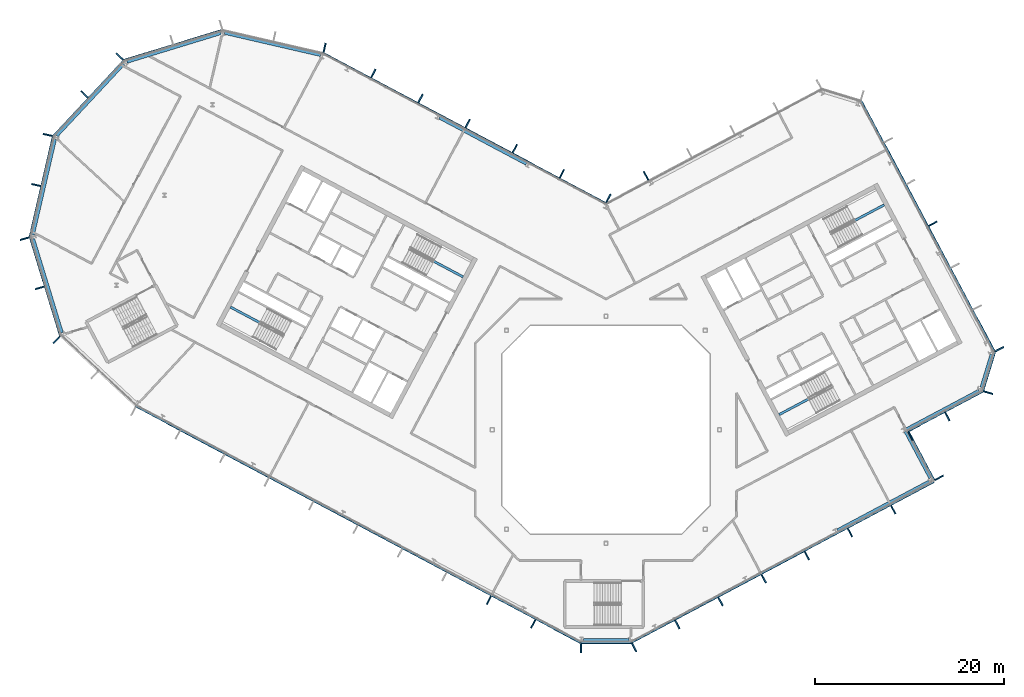
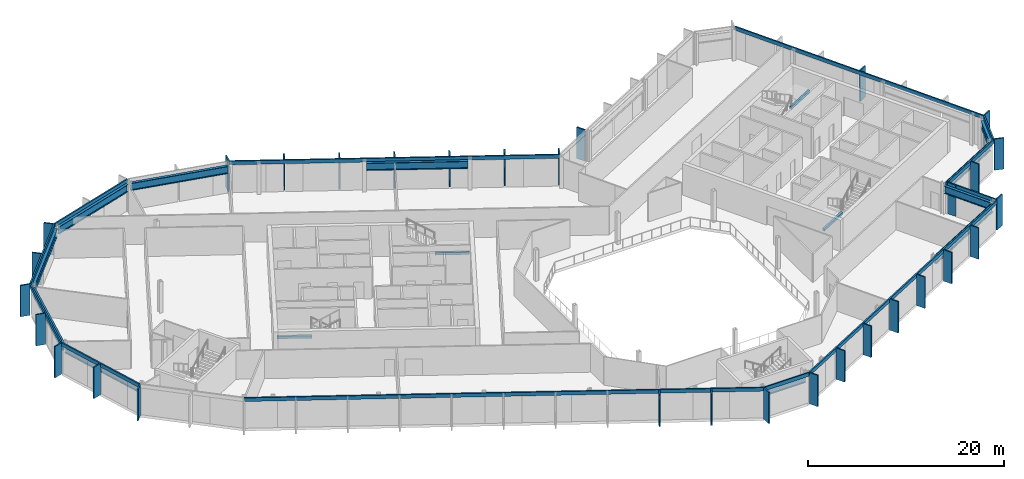
# One storey, part 9 of 25: 43 members, 15 beams, 15 elements without a shape of their own.
"""IFC4 building model written with IfcOpenShell, lengths in metres."""

from ifc_helpers import new_model, si_unit, direction, frame, origin, origin_2d, place, context, subcontext, project, spatial, rectangle, i_section, extrude, material, layer, layer_set, material_profile, profile_set, type_object, element, aggregate, save


model = new_model("IFC4")

# Units and contexts
model_context = context("Model", 3, precision=1e-05, world=origin(), true_north=direction((0.0, 1.0)))
body_context = subcontext(model_context, "Body", "Model", "MODEL_VIEW")
ifc_project = project(units=[si_unit("LENGTHUNIT", "METRE"), si_unit("AREAUNIT", "SQUARE_METRE"), si_unit("VOLUMEUNIT", "CUBIC_METRE"), si_unit("PLANEANGLEUNIT", "RADIAN"), si_unit("MASSUNIT", "GRAM", prefix="KILO")], contexts=[model_context])

# Site, building, storey
site_placement = place(None, origin())
site = spatial("IfcSite", under=ifc_project, at=site_placement, CompositionType="ELEMENT")
building_placement = place(site_placement, origin())
building = spatial("IfcBuilding", under=site, at=building_placement, Name="Cormorant Relay Tower", CompositionType="ELEMENT")
storey_placement = place(building_placement, frame((0.0, 0.0, 273.60009765625)))
storey = spatial("IfcBuildingStorey", under=building, at=storey_placement, Name="L61", CompositionType="ELEMENT", Elevation=273.60009765625)

# Curtain wall, member
ifc_material_1 = material(Name="Aluminium 6063-T6 anodised bronze", Category="aluminium")
ifc_layer = layer(ifc_material_1, 0.199951171875)
ifc_layer_set = layer_set([ifc_layer], Name="CW1 unitised bronze curtain wall with vertical fins")
curtain_wall_type = type_object("IfcCurtainWallType", Name="CW1 unitised bronze curtain wall with vertical fins", PredefinedType="NOTDEFINED", material=ifc_layer_set)
curtain_wall_1_placement = place(storey_placement, origin())
curtain_wall_1 = element("IfcCurtainWall", 1, at=curtain_wall_1_placement, inside=storey, type_object=curtain_wall_type, Name="CW1 curtain wall 1", PredefinedType="NOTDEFINED")
ifc_material_2 = material(Name="Aluminium 6063-T6 anodised bronze", Category="aluminium")
ifc_material_profile_1 = material_profile(ifc_material_2, rectangle(XDim=0.14990234375, YDim=1.0, at=origin_2d()), Name="AL 150x1000")
ifc_profile_set_1 = profile_set([ifc_material_profile_1], Name="Aluminium 6063-T6 anodised bronze")
member_type_1 = type_object("IfcMemberType", Name="CW1 bronze fin mullion 150 x 1000", PredefinedType="MULLION", material=ifc_profile_set_1)
member_1_placement = place(storey_placement, frame((-2.648681640625, -23.07568359375, 0.0), z_axis=(0.0, 0.0, 1.0), x_axis=(1.0, 0.0, 0.0)))
member_1 = element("IfcMember", 2, at=member_1_placement, type_object=member_type_1, Name="CW1 fin 1.1", PredefinedType="MULLION", context=body_context, shape_type="SweptSolid", body=[
    extrude(rectangle(XDim=0.14990234375, YDim=1.0, at=origin_2d()), origin(), (0.0, 0.0, 1.0), 3.89990234375),
])

# Curtain wall, members
curtain_wall_2_placement = place(storey_placement, origin())
curtain_wall_2 = element("IfcCurtainWall", 3, at=curtain_wall_2_placement, inside=storey, type_object=curtain_wall_type, Name="CW1 curtain wall 2", PredefinedType="NOTDEFINED")
member_2_placement = place(storey_placement, frame((2.9775390625, -22.99365234375, 0.0), z_axis=(0.0, 0.0, 1.0), x_axis=(0.882947592859, 0.469471562786, 0.0)))
member_2 = element("IfcMember", 4, at=member_2_placement, type_object=member_type_1, Name="CW1 fin 2.1", PredefinedType="MULLION", context=body_context, shape_type="SweptSolid", body=[
    extrude(rectangle(XDim=0.14990234375, YDim=1.0, at=origin_2d()), origin(), (0.0, 0.0, 1.0), 3.89990234375),
])
member_3_placement = place(storey_placement, frame((7.539306640625, -20.568115234375, 0.0), z_axis=(0.0, 0.0, 1.0), x_axis=(0.882947592859, 0.469471562786, 0.0)))
member_3 = element("IfcMember", 5, at=member_3_placement, type_object=member_type_1, Name="CW1 fin 2.2", PredefinedType="MULLION", context=body_context, shape_type="SweptSolid", body=[
    extrude(rectangle(XDim=0.14990234375, YDim=1.0, at=origin_2d()), origin(), (0.0, 0.0, 1.0), 3.89990234375),
])
member_4_placement = place(storey_placement, frame((12.10107421875, -18.142578125, 0.0), z_axis=(0.0, 0.0, 1.0), x_axis=(0.882947592859, 0.469471562786, 0.0)))
member_4 = element("IfcMember", 6, at=member_4_placement, type_object=member_type_1, Name="CW1 fin 2.3", PredefinedType="MULLION", context=body_context, shape_type="SweptSolid", body=[
    extrude(rectangle(XDim=0.14990234375, YDim=1.0, at=origin_2d()), origin(), (0.0, 0.0, 1.0), 3.89990234375),
])
member_5_placement = place(storey_placement, frame((16.662841796875, -15.717041015625, 0.0), z_axis=(0.0, 0.0, 1.0), x_axis=(0.882947592859, 0.469471562786, 0.0)))
member_5 = element("IfcMember", 7, at=member_5_placement, type_object=member_type_1, Name="CW1 fin 2.4", PredefinedType="MULLION", context=body_context, shape_type="SweptSolid", body=[
    extrude(rectangle(XDim=0.14990234375, YDim=1.0, at=origin_2d()), origin(), (0.0, 0.0, 1.0), 3.89990234375),
])
member_6_placement = place(storey_placement, frame((21.224609375, -13.29150390625, 0.0), z_axis=(0.0, 0.0, 1.0), x_axis=(0.882947592859, 0.469471562786, 0.0)))
member_6 = element("IfcMember", 8, at=member_6_placement, type_object=member_type_1, Name="CW1 fin 2.5", PredefinedType="MULLION", context=body_context, shape_type="SweptSolid", body=[
    extrude(rectangle(XDim=0.14990234375, YDim=1.0, at=origin_2d()), origin(), (0.0, 0.0, 1.0), 3.89990234375),
])
member_7_placement = place(storey_placement, frame((25.78662109375, -10.865966796875, 0.0), z_axis=(0.0, 0.0, 1.0), x_axis=(0.882947592859, 0.469471562786, 0.0)))
member_7 = element("IfcMember", 9, at=member_7_placement, type_object=member_type_1, Name="CW1 fin 2.6", PredefinedType="MULLION", context=body_context, shape_type="SweptSolid", body=[
    extrude(rectangle(XDim=0.14990234375, YDim=1.0, at=origin_2d()), origin(), (0.0, 0.0, 1.0), 3.89990234375),
])
member_8_placement = place(storey_placement, frame((30.348388671875, -8.440185546875, 0.0), z_axis=(0.0, 0.0, 1.0), x_axis=(0.882947592859, 0.469471562786, 0.0)))
member_8 = element("IfcMember", 10, at=member_8_placement, type_object=member_type_1, Name="CW1 fin 2.7", PredefinedType="MULLION", context=body_context, shape_type="SweptSolid", body=[
    extrude(rectangle(XDim=0.14990234375, YDim=1.0, at=origin_2d()), origin(), (0.0, 0.0, 1.0), 3.89990234375),
])

# Curtain wall, member
curtain_wall_3_placement = place(storey_placement, origin())
curtain_wall_3 = element("IfcCurtainWall", 11, at=curtain_wall_3_placement, inside=storey, type_object=curtain_wall_type, Name="CW1 curtain wall 3", PredefinedType="NOTDEFINED")
member_9_placement = place(storey_placement, frame((35.199462890625, -5.068115234375, 0.0), z_axis=(0.0, 0.0, 1.0), x_axis=(-0.469471562786, 0.882947592859, 0.0)))
member_9 = element("IfcMember", 12, at=member_9_placement, type_object=member_type_1, Name="CW1 fin 3.1", PredefinedType="MULLION", context=body_context, shape_type="SweptSolid", body=[
    extrude(rectangle(XDim=0.14990234375, YDim=1.0, at=origin_2d()), origin(), (0.0, 0.0, 1.0), 3.89990234375),
])

# Curtain wall, members
curtain_wall_4_placement = place(storey_placement, origin())
curtain_wall_4 = element("IfcCurtainWall", 13, at=curtain_wall_4_placement, inside=storey, type_object=curtain_wall_type, Name="CW1 curtain wall 4", PredefinedType="NOTDEFINED")
member_10_placement = place(storey_placement, frame((32.159423828125, -0.681884765625, 0.0), z_axis=(0.0, 0.0, 1.0), x_axis=(0.882947592859, 0.469471562786, 0.0)))
member_10 = element("IfcMember", 14, at=member_10_placement, type_object=member_type_1, Name="CW1 fin 4.1", PredefinedType="MULLION", context=body_context, shape_type="SweptSolid", body=[
    extrude(rectangle(XDim=0.14990234375, YDim=1.0, at=origin_2d()), origin(), (0.0, 0.0, 1.0), 3.89990234375),
])
member_11_placement = place(storey_placement, frame((36.06640625, 1.3955078125, 0.0), z_axis=(0.0, 0.0, 1.0), x_axis=(0.882947592859, 0.469471562786, 0.0)))
member_11 = element("IfcMember", 15, at=member_11_placement, type_object=member_type_1, Name="CW1 fin 4.2", PredefinedType="MULLION", context=body_context, shape_type="SweptSolid", body=[
    extrude(rectangle(XDim=0.14990234375, YDim=1.0, at=origin_2d()), origin(), (0.0, 0.0, 1.0), 3.89990234375),
])

# Curtain wall, member
curtain_wall_5_placement = place(storey_placement, origin())
curtain_wall_5 = element("IfcCurtainWall", 16, at=curtain_wall_5_placement, inside=storey, type_object=curtain_wall_type, Name="CW1 curtain wall 5", PredefinedType="NOTDEFINED")
member_12_placement = place(storey_placement, frame((40.380615234375, 3.921630859375, 0.0), z_axis=(0.0, 0.0, 1.0), x_axis=(0.292371704723, 0.956304755963, 0.0)))
member_12 = element("IfcMember", 17, at=member_12_placement, type_object=member_type_1, Name="CW1 fin 5.1", PredefinedType="MULLION", context=body_context, shape_type="SweptSolid", body=[
    extrude(rectangle(XDim=0.14990234375, YDim=1.0, at=origin_2d()), origin(), (0.0, 0.0, 1.0), 3.89990234375),
])

# Curtain wall, members
curtain_wall_6_placement = place(storey_placement, origin())
curtain_wall_6 = element("IfcCurtainWall", 18, at=curtain_wall_6_placement, inside=storey, type_object=curtain_wall_type, Name="CW1 curtain wall 6", PredefinedType="NOTDEFINED")
member_13_placement = place(storey_placement, frame((41.569580078125, 8.51220703125, 0.0), z_axis=(0.0, 0.0, 1.0), x_axis=(-0.469471562786, 0.882947592859, 0.0)))
member_13 = element("IfcMember", 19, at=member_13_placement, type_object=member_type_1, Name="CW1 fin 6.1", PredefinedType="MULLION", context=body_context, shape_type="SweptSolid", body=[
    extrude(rectangle(XDim=0.14990234375, YDim=1.0, at=origin_2d()), origin(), (0.0, 0.0, 1.0), 3.89990234375),
])
member_14_placement = place(storey_placement, frame((34.527587890625, 21.75634765625, 0.0), z_axis=(0.0, 0.0, 1.0), x_axis=(-0.469471562786, 0.882947592859, 0.0)))
member_14 = element("IfcMember", 20, at=member_14_placement, type_object=member_type_1, Name="CW1 fin 6.4", PredefinedType="MULLION", context=body_context, shape_type="SweptSolid", body=[
    extrude(rectangle(XDim=0.14990234375, YDim=1.0, at=origin_2d()), origin(), (0.0, 0.0, 1.0), 3.89990234375),
])

# Curtain wall, member
curtain_wall_7_placement = place(storey_placement, origin())
curtain_wall_7 = element("IfcCurtainWall", 21, at=curtain_wall_7_placement, inside=storey, type_object=curtain_wall_type, Name="CW1 curtain wall 8", PredefinedType="NOTDEFINED")
member_15_placement = place(storey_placement, frame((4.2333984375, 26.82763671875, 0.0), z_axis=(0.0, 0.0, 1.0), x_axis=(-0.882947592859, -0.469471562786, 0.0)))
member_15 = element("IfcMember", 22, at=member_15_placement, type_object=member_type_1, Name="CW1 fin 8.5", PredefinedType="MULLION", context=body_context, shape_type="SweptSolid", body=[
    extrude(rectangle(XDim=0.14990234375, YDim=1.0, at=origin_2d()), origin(), (0.0, 0.0, 1.0), 3.89990234375),
])
aggregate(curtain_wall_7, [member_15])

# Curtain wall, members
curtain_wall_8_placement = place(storey_placement, origin())
curtain_wall_8 = element("IfcCurtainWall", 23, at=curtain_wall_8_placement, inside=storey, type_object=curtain_wall_type, Name="CW1 curtain wall 9", PredefinedType="NOTDEFINED")
member_16_placement = place(storey_placement, frame((0.262451171875, 24.437255859375, 0.0), z_axis=(0.0, 0.0, 1.0), x_axis=(-0.882947592859, 0.469471562786, 0.0)))
member_16 = element("IfcMember", 24, at=member_16_placement, type_object=member_type_1, Name="CW1 fin 9.1", PredefinedType="MULLION", context=body_context, shape_type="SweptSolid", body=[
    extrude(rectangle(XDim=0.14990234375, YDim=1.0, at=origin_2d()), origin(), (0.0, 0.0, 1.0), 3.89990234375),
])
member_17_placement = place(storey_placement, frame((-4.650390625, 27.04931640625, 0.0), z_axis=(0.0, 0.0, 1.0), x_axis=(-0.882947592859, 0.469471562786, 0.0)))
member_17 = element("IfcMember", 25, at=member_17_placement, type_object=member_type_1, Name="CW1 fin 9.2", PredefinedType="MULLION", context=body_context, shape_type="SweptSolid", body=[
    extrude(rectangle(XDim=0.14990234375, YDim=1.0, at=origin_2d()), origin(), (0.0, 0.0, 1.0), 3.89990234375),
])
member_18_placement = place(storey_placement, frame((-9.62939453125, 29.69677734375, 0.0), z_axis=(0.0, 0.0, 1.0), x_axis=(-0.882947592859, 0.469471562786, 0.0)))
member_18 = element("IfcMember", 26, at=member_18_placement, type_object=member_type_1, Name="CW1 fin 9.3", PredefinedType="MULLION", context=body_context, shape_type="SweptSolid", body=[
    extrude(rectangle(XDim=0.14990234375, YDim=1.0, at=origin_2d()), origin(), (0.0, 0.0, 1.0), 3.89990234375),
])
member_19_placement = place(storey_placement, frame((-14.608154296875, 32.343994140625, 0.0), z_axis=(0.0, 0.0, 1.0), x_axis=(-0.882947592859, 0.469471562786, 0.0)))
member_19 = element("IfcMember", 27, at=member_19_placement, type_object=member_type_1, Name="CW1 fin 9.4", PredefinedType="MULLION", context=body_context, shape_type="SweptSolid", body=[
    extrude(rectangle(XDim=0.14990234375, YDim=1.0, at=origin_2d()), origin(), (0.0, 0.0, 1.0), 3.89990234375),
])
member_20_placement = place(storey_placement, frame((-19.587158203125, 34.991455078125, 0.0), z_axis=(0.0, 0.0, 1.0), x_axis=(-0.882947592859, 0.469471562786, 0.0)))
member_20 = element("IfcMember", 28, at=member_20_placement, type_object=member_type_1, Name="CW1 fin 9.5", PredefinedType="MULLION", context=body_context, shape_type="SweptSolid", body=[
    extrude(rectangle(XDim=0.14990234375, YDim=1.0, at=origin_2d()), origin(), (0.0, 0.0, 1.0), 3.89990234375),
])
member_21_placement = place(storey_placement, frame((-24.566162109375, 37.638916015625, 0.0), z_axis=(0.0, 0.0, 1.0), x_axis=(-0.882947592859, 0.469471562786, 0.0)))
member_21 = element("IfcMember", 29, at=member_21_placement, type_object=member_type_1, Name="CW1 fin 9.6", PredefinedType="MULLION", context=body_context, shape_type="SweptSolid", body=[
    extrude(rectangle(XDim=0.14990234375, YDim=1.0, at=origin_2d()), origin(), (0.0, 0.0, 1.0), 3.89990234375),
])

# Curtain wall, member
curtain_wall_9_placement = place(storey_placement, origin())
curtain_wall_9 = element("IfcCurtainWall", 30, at=curtain_wall_9_placement, inside=storey, type_object=curtain_wall_type, Name="CW1 curtain wall 10", PredefinedType="NOTDEFINED")
member_22_placement = place(storey_placement, frame((-29.71630859375, 40.35009765625, 0.0), z_axis=(0.0, 0.0, 1.0), x_axis=(-0.974370064785, 0.224951054344, 0.0)))
member_22 = element("IfcMember", 31, at=member_22_placement, type_object=member_type_1, Name="CW1 fin 10.1", PredefinedType="MULLION", context=body_context, shape_type="SweptSolid", body=[
    extrude(rectangle(XDim=0.14990234375, YDim=1.0, at=origin_2d()), origin(), (0.0, 0.0, 1.0), 3.89990234375),
])
aggregate(curtain_wall_9, [member_22])

# Curtain wall, members
curtain_wall_10_placement = place(storey_placement, origin())
curtain_wall_10 = element("IfcCurtainWall", 32, at=curtain_wall_10_placement, inside=storey, type_object=curtain_wall_type, Name="CW1 curtain wall 12", PredefinedType="NOTDEFINED")
member_23_placement = place(storey_placement, frame((-51.372802734375, 39.41259765625, 0.0), z_axis=(0.0, 0.0, 1.0), x_axis=(-0.681998360062, -0.731353701619, 0.0)))
member_23 = element("IfcMember", 33, at=member_23_placement, type_object=member_type_1, Name="CW1 fin 12.1", PredefinedType="MULLION", context=body_context, shape_type="SweptSolid", body=[
    extrude(rectangle(XDim=0.14990234375, YDim=1.0, at=origin_2d()), origin(), (0.0, 0.0, 1.0), 3.89990234375),
])
member_24_placement = place(storey_placement, frame((-55.07958984375, 35.4375, 0.0), z_axis=(0.0, 0.0, 1.0), x_axis=(-0.681998360062, -0.731353701619, 0.0)))
member_24 = element("IfcMember", 34, at=member_24_placement, type_object=member_type_1, Name="CW1 fin 12.2", PredefinedType="MULLION", context=body_context, shape_type="SweptSolid", body=[
    extrude(rectangle(XDim=0.14990234375, YDim=1.0, at=origin_2d()), origin(), (0.0, 0.0, 1.0), 3.89990234375),
])

curtain_wall_11_placement = place(storey_placement, origin())
curtain_wall_11 = element("IfcCurtainWall", 35, at=curtain_wall_11_placement, inside=storey, type_object=curtain_wall_type, Name="CW1 curtain wall 13", PredefinedType="NOTDEFINED")
member_25_placement = place(storey_placement, frame((-58.95654296875, 31.142578125, 0.0), z_axis=(0.0, 0.0, 1.0), x_axis=(-0.224951054344, -0.974370064785, 0.0)))
member_25 = element("IfcMember", 36, at=member_25_placement, type_object=member_type_1, Name="CW1 fin 13.1", PredefinedType="MULLION", context=body_context, shape_type="SweptSolid", body=[
    extrude(rectangle(XDim=0.14990234375, YDim=1.0, at=origin_2d()), origin(), (0.0, 0.0, 1.0), 3.89990234375),
])
member_26_placement = place(storey_placement, frame((-60.17919921875, 25.8466796875, 0.0), z_axis=(0.0, 0.0, 1.0), x_axis=(-0.224951054344, -0.974370064785, 0.0)))
member_26 = element("IfcMember", 37, at=member_26_placement, type_object=member_type_1, Name="CW1 fin 13.2", PredefinedType="MULLION", context=body_context, shape_type="SweptSolid", body=[
    extrude(rectangle(XDim=0.14990234375, YDim=1.0, at=origin_2d()), origin(), (0.0, 0.0, 1.0), 3.89990234375),
])

curtain_wall_12_placement = place(storey_placement, origin())
curtain_wall_12 = element("IfcCurtainWall", 38, at=curtain_wall_12_placement, inside=storey, type_object=curtain_wall_type, Name="CW1 curtain wall 14", PredefinedType="NOTDEFINED")
member_27_placement = place(storey_placement, frame((-61.389404296875, 20.188720703125, 0.0), z_axis=(0.0, 0.0, 1.0), x_axis=(0.292371704723, -0.956304755963, 0.0)))
member_27 = element("IfcMember", 39, at=member_27_placement, type_object=member_type_1, Name="CW1 fin 14.1", PredefinedType="MULLION", context=body_context, shape_type="SweptSolid", body=[
    extrude(rectangle(XDim=0.14990234375, YDim=1.0, at=origin_2d()), origin(), (0.0, 0.0, 1.0), 3.89990234375),
])
member_28_placement = place(storey_placement, frame((-59.80029296875, 14.990966796875, 0.0), z_axis=(0.0, 0.0, 1.0), x_axis=(0.292371704723, -0.956304755963, 0.0)))
member_28 = element("IfcMember", 40, at=member_28_placement, type_object=member_type_1, Name="CW1 fin 14.2", PredefinedType="MULLION", context=body_context, shape_type="SweptSolid", body=[
    extrude(rectangle(XDim=0.14990234375, YDim=1.0, at=origin_2d()), origin(), (0.0, 0.0, 1.0), 3.89990234375),
])

# Curtain wall, member
curtain_wall_13_placement = place(storey_placement, origin())
curtain_wall_13 = element("IfcCurtainWall", 41, at=curtain_wall_13_placement, inside=storey, type_object=curtain_wall_type, Name="CW1 curtain wall 15", PredefinedType="NOTDEFINED")
member_29_placement = place(storey_placement, frame((-58.01904296875, 9.486083984375, 0.0), z_axis=(0.0, 0.0, 1.0), x_axis=(0.731353701619, -0.681998360062, 0.0)))
member_29 = element("IfcMember", 42, at=member_29_placement, type_object=member_type_1, Name="CW1 fin 15.1", PredefinedType="MULLION", context=body_context, shape_type="SweptSolid", body=[
    extrude(rectangle(XDim=0.14990234375, YDim=1.0, at=origin_2d()), origin(), (0.0, 0.0, 1.0), 3.89990234375),
])
aggregate(curtain_wall_13, [member_29])

# Curtain wall, members
curtain_wall_14_placement = place(storey_placement, origin())
curtain_wall_14 = element("IfcCurtainWall", 43, at=curtain_wall_14_placement, inside=storey, type_object=curtain_wall_type, Name="CW1 curtain wall 16", PredefinedType="NOTDEFINED")
member_30_placement = place(storey_placement, frame((-12.365966796875, -18.001708984375, 0.0), z_axis=(0.0, 0.0, 1.0), x_axis=(0.882947592859, -0.469471562786, 0.0)))
member_30 = element("IfcMember", 44, at=member_30_placement, type_object=member_type_1, Name="CW1 fin 16.9", PredefinedType="MULLION", context=body_context, shape_type="SweptSolid", body=[
    extrude(rectangle(XDim=0.14990234375, YDim=1.0, at=origin_2d()), origin(), (0.0, 0.0, 1.0), 3.89990234375),
])
member_31_placement = place(storey_placement, frame((-7.671630859375, -20.49755859375, 0.0), z_axis=(0.0, 0.0, 1.0), x_axis=(0.882947592859, -0.469471562786, 0.0)))
member_31 = element("IfcMember", 45, at=member_31_placement, type_object=member_type_1, Name="CW1 fin 16.10", PredefinedType="MULLION", context=body_context, shape_type="SweptSolid", body=[
    extrude(rectangle(XDim=0.14990234375, YDim=1.0, at=origin_2d()), origin(), (0.0, 0.0, 1.0), 3.89990234375),
])

# Member
ifc_material_3 = material(Name="Aluminium 6063-T6 anodised bronze", Category="aluminium")
ifc_material_profile_2 = material_profile(ifc_material_3, rectangle(XDim=0.159912109375, YDim=0.449951171875, at=origin_2d()), Name="AL 160x450")
ifc_profile_set_2 = profile_set([ifc_material_profile_2], Name="Aluminium 6063-T6 anodised bronze")
member_type_2 = type_object("IfcMemberType", Name="CW1 bronze transom 160 x 450", PredefinedType="USERDEFINED", material=ifc_profile_set_2)
member_32_placement = place(storey_placement, frame((-2.648681640625, -22.49560546875, 3.6748046875), z_axis=(1.0, 0.0, 0.0), x_axis=(0.0, 1.0, 0.0)))
member_32 = element("IfcMember", 46, at=member_32_placement, type_object=member_type_2, Name="CW1 transom 1", ObjectType="TRANSOM", PredefinedType="USERDEFINED", context=body_context, shape_type="SweptSolid", body=[
    extrude(rectangle(XDim=0.159912109375, YDim=0.449951171875, at=origin_2d()), origin(), (0.0, 0.0, 1.0), 5.29736328125),
])

aggregate(curtain_wall_1, [member_1, member_32])

member_33_placement = place(storey_placement, frame((2.705078125, -22.4814453125, 3.6748046875), z_axis=(0.882948899141, 0.469469106018, 0.0), x_axis=(-0.469469106018, 0.882948899141, 0.0)))
member_33 = element("IfcMember", 47, at=member_33_placement, type_object=member_type_2, Name="CW1 transom 2", ObjectType="TRANSOM", PredefinedType="USERDEFINED", context=body_context, shape_type="SweptSolid", body=[
    extrude(rectangle(XDim=0.159912109375, YDim=0.449951171875, at=origin_2d()), origin(), (0.0, 0.0, 1.0), 36.165771484375),
])

aggregate(curtain_wall_2, [member_2, member_3, member_4, member_5, member_6, member_7, member_8, member_33])

member_34_placement = place(storey_placement, frame((34.6875, -5.34033203125, 3.6748046875), z_axis=(-0.469485426614, 0.882940221191, 0.0), x_axis=(-0.882940221191, -0.469485426614, 0.0)))
member_34 = element("IfcMember", 48, at=member_34_placement, type_object=member_type_2, Name="CW1 transom 3", ObjectType="TRANSOM", PredefinedType="USERDEFINED", context=body_context, shape_type="SweptSolid", body=[
    extrude(rectangle(XDim=0.159912109375, YDim=0.449951171875, at=origin_2d()), origin(), (0.0, 0.0, 1.0), 6.0),
])

aggregate(curtain_wall_3, [member_9, member_34])

member_35_placement = place(storey_placement, frame((31.82080078125, -0.205078125, 3.6748046875), z_axis=(0.882949189538, 0.469468559857, 0.0), x_axis=(-0.469468559857, 0.882949189538, 0.0)))
member_35 = element("IfcMember", 49, at=member_35_placement, type_object=member_type_2, Name="CW1 transom 4", ObjectType="TRANSOM", PredefinedType="USERDEFINED", context=body_context, shape_type="SweptSolid", body=[
    extrude(rectangle(XDim=0.159912109375, YDim=0.449951171875, at=origin_2d()), origin(), (0.0, 0.0, 1.0), 9.000244140625),
])

aggregate(curtain_wall_4, [member_10, member_11, member_35])

member_36_placement = place(storey_placement, frame((39.825927734375, 4.091064453125, 3.6748046875), z_axis=(0.292374957137, 0.956303761594, 0.0), x_axis=(-0.956303761594, 0.292374957137, 0.0)))
member_36 = element("IfcMember", 50, at=member_36_placement, type_object=member_type_2, Name="CW1 transom 5", ObjectType="TRANSOM", PredefinedType="USERDEFINED", context=body_context, shape_type="SweptSolid", body=[
    extrude(rectangle(XDim=0.159912109375, YDim=0.449951171875, at=origin_2d()), origin(), (0.0, 0.0, 1.0), 4.24267578125),
])

aggregate(curtain_wall_5, [member_12, member_36])

member_37_placement = place(storey_placement, frame((41.0576171875, 8.23974609375, 3.6748046875), z_axis=(-0.469472335483, 0.882947182008, 0.0), x_axis=(-0.882947182008, -0.469472335483, 0.0)))
member_37 = element("IfcMember", 51, at=member_37_placement, type_object=member_type_2, Name="CW1 transom 6", ObjectType="TRANSOM", PredefinedType="USERDEFINED", context=body_context, shape_type="SweptSolid", body=[
    extrude(rectangle(XDim=0.159912109375, YDim=0.449951171875, at=origin_2d()), origin(), (0.0, 0.0, 1.0), 30.000244140625),
])

aggregate(curtain_wall_6, [member_13, member_14, member_37])

member_38_placement = place(storey_placement, frame((0.056396484375, 23.889892578125, 3.6748046875), z_axis=(-0.882946280328, 0.46947403129, 0.0), x_axis=(-0.46947403129, -0.882946280328, 0.0)))
member_38 = element("IfcMember", 52, at=member_38_placement, type_object=member_type_2, Name="CW1 transom 9", ObjectType="TRANSOM", PredefinedType="USERDEFINED", context=body_context, shape_type="SweptSolid", body=[
    extrude(rectangle(XDim=0.159912109375, YDim=0.449951171875, at=origin_2d()), origin(), (0.0, 0.0, 1.0), 33.834228515625),
])

aggregate(curtain_wall_8, [member_16, member_17, member_18, member_19, member_20, member_21, member_38])

# Curtain wall, member
curtain_wall_15_placement = place(storey_placement, origin())
curtain_wall_15 = element("IfcCurtainWall", 53, at=curtain_wall_15_placement, inside=storey, type_object=curtain_wall_type, Name="CW1 curtain wall 11", PredefinedType="NOTDEFINED")
member_39_placement = place(storey_placement, frame((-40.50048828125, 42.228271484375, 3.6748046875), z_axis=(-0.956304833932, -0.292371449698, 0.0), x_axis=(0.292371449698, -0.956304833932, 0.0)))
member_39 = element("IfcMember", 54, at=member_39_placement, type_object=member_type_2, Name="CW1 transom 11", ObjectType="TRANSOM", PredefinedType="USERDEFINED", context=body_context, shape_type="SweptSolid", body=[
    extrude(rectangle(XDim=0.159912109375, YDim=0.449951171875, at=origin_2d()), origin(), (0.0, 0.0, 1.0), 10.87060546875),
])
aggregate(curtain_wall_15, [member_39])

# Member
member_40_placement = place(storey_placement, frame((-50.94873046875, 39.01708984375, 3.6748046875), z_axis=(-0.681993299437, -0.731358420696, 0.0), x_axis=(0.731358420696, -0.681993299437, 0.0)))
member_40 = element("IfcMember", 55, at=member_40_placement, type_object=member_type_2, Name="CW1 transom 12", ObjectType="TRANSOM", PredefinedType="USERDEFINED", context=body_context, shape_type="SweptSolid", body=[
    extrude(rectangle(XDim=0.159912109375, YDim=0.449951171875, at=origin_2d()), origin(), (0.0, 0.0, 1.0), 10.870361328125),
])

aggregate(curtain_wall_10, [member_23, member_24, member_40])

member_41_placement = place(storey_placement, frame((-58.3916015625, 31.01220703125, 3.6748046875), z_axis=(-0.22495136131, -0.974369993916, 0.0), x_axis=(0.974369993916, -0.22495136131, 0.0)))
member_41 = element("IfcMember", 56, at=member_41_placement, type_object=member_type_2, Name="CW1 transom 13", ObjectType="TRANSOM", PredefinedType="USERDEFINED", context=body_context, shape_type="SweptSolid", body=[
    extrude(rectangle(XDim=0.159912109375, YDim=0.449951171875, at=origin_2d()), origin(), (0.0, 0.0, 1.0), 10.870361328125),
])

aggregate(curtain_wall_11, [member_25, member_26, member_41])

member_42_placement = place(storey_placement, frame((-60.834716796875, 20.358154296875, 3.6748046875), z_axis=(0.292377729282, -0.95630291405, 0.0), x_axis=(0.95630291405, 0.292377729282, 0.0)))
member_42 = element("IfcMember", 57, at=member_42_placement, type_object=member_type_2, Name="CW1 transom 14", ObjectType="TRANSOM", PredefinedType="USERDEFINED", context=body_context, shape_type="SweptSolid", body=[
    extrude(rectangle(XDim=0.159912109375, YDim=0.449951171875, at=origin_2d()), origin(), (0.0, 0.0, 1.0), 10.870361328125),
])

aggregate(curtain_wall_12, [member_27, member_28, member_42])

member_43_placement = place(storey_placement, frame((-49.64794921875, 2.478515625, 3.6748046875), z_axis=(0.882947642542, -0.469471469346, 0.0), x_axis=(0.469471469346, 0.882947642542, 0.0)))
member_43 = element("IfcMember", 58, at=member_43_placement, type_object=member_type_2, Name="CW1 transom 16", ObjectType="TRANSOM", PredefinedType="USERDEFINED", context=body_context, shape_type="SweptSolid", body=[
    extrude(rectangle(XDim=0.159912109375, YDim=0.449951171875, at=origin_2d()), origin(), (0.0, 0.0, 1.0), 53.166015625),
])

aggregate(curtain_wall_14, [member_30, member_31, member_43])

# Beams
ifc_material_4 = material(Name="Steel ASTM A992 (Fy 345 MPa)", Category="steel")
ifc_material_profile_3 = material_profile(ifc_material_4, i_section(OverallWidth=0.307373046875, OverallDepth=0.927001953125, WebThickness=0.019287109375, FlangeThickness=0.031982421875, FilletRadius=0.01904296875, at=origin_2d()), Name="W920x289")
ifc_profile_set_3 = profile_set([ifc_material_profile_3], Name="Steel ASTM A992 (Fy 345 MPa)")
beam_type_1 = type_object("IfcBeamType", Name="Spandrel W920x289", PredefinedType="SPANDREL", material=ifc_profile_set_3)
beam_1_placement = place(storey_placement, frame((-2.377197265625, -22.221923828125, 3.076416015625), z_axis=(1.0, 0.0, 0.0), x_axis=(0.0, 1.0, 0.0)))
element("IfcBeam", 59, at=beam_1_placement, inside=storey, type_object=beam_type_1, Name="Spandrel beam L61-001", PredefinedType="SPANDREL", context=body_context, shape_type="SweptSolid", body=[
    extrude(i_section(OverallWidth=0.307373046875, OverallDepth=0.927001953125, WebThickness=0.019287109375, FlangeThickness=0.031982421875, FilletRadius=0.01904296875, at=origin_2d()), origin(), (0.0, 0.0, 1.0), 4.79541015625),
])
beam_2_placement = place(storey_placement, frame((24.44287109375, -10.61328125, 3.076416015625), z_axis=(0.882957797597, 0.469452369961, 0.0), x_axis=(-0.469452369961, 0.882957797597, 0.0)))
element("IfcBeam", 60, at=beam_2_placement, inside=storey, type_object=beam_type_1, Name="Spandrel beam L61-002", PredefinedType="SPANDREL", context=body_context, shape_type="SweptSolid", body=[
    extrude(i_section(OverallWidth=0.307373046875, OverallDepth=0.927001953125, WebThickness=0.019287109375, FlangeThickness=0.031982421875, FilletRadius=0.01904296875, at=origin_2d()), origin(), (0.0, 0.0, 1.0), 10.992431640625),
])
beam_3_placement = place(storey_placement, frame((34.254638671875, -5.109619140625, 3.076416015625), z_axis=(-0.469457325339, 0.882955162897, 0.0), x_axis=(-0.882955162897, -0.469457325339, 0.0)))
element("IfcBeam", 61, at=beam_3_placement, inside=storey, type_object=beam_type_1, Name="Spandrel beam L61-003", PredefinedType="SPANDREL", context=body_context, shape_type="SweptSolid", body=[
    extrude(i_section(OverallWidth=0.307373046875, OverallDepth=0.927001953125, WebThickness=0.019287109375, FlangeThickness=0.031982421875, FilletRadius=0.01904296875, at=origin_2d()), origin(), (0.0, 0.0, 1.0), 5.593017578125),
])
beam_4_placement = place(storey_placement, frame((31.6923828125, 0.03662109375, 3.076416015625), z_axis=(0.882943393008, 0.469479461472, 0.0), x_axis=(-0.469479461472, 0.882943393008, 0.0)))
element("IfcBeam", 62, at=beam_4_placement, inside=storey, type_object=beam_type_1, Name="Spandrel beam L61-004", PredefinedType="SPANDREL", context=body_context, shape_type="SweptSolid", body=[
    extrude(i_section(OverallWidth=0.307373046875, OverallDepth=0.927001953125, WebThickness=0.019287109375, FlangeThickness=0.031982421875, FilletRadius=0.01904296875, at=origin_2d()), origin(), (0.0, 0.0, 1.0), 8.734375),
])
beam_5_placement = place(storey_placement, frame((39.6591796875, 4.4814453125, 3.076416015625), z_axis=(0.292323829151, 0.956319391684, 0.0), x_axis=(-0.956319391684, 0.292323829151, 0.0)))
element("IfcBeam", 63, at=beam_5_placement, inside=storey, type_object=beam_type_1, Name="Spandrel beam L61-005", PredefinedType="SPANDREL", context=body_context, shape_type="SweptSolid", body=[
    extrude(i_section(OverallWidth=0.307373046875, OverallDepth=0.927001953125, WebThickness=0.019287109375, FlangeThickness=0.031982421875, FilletRadius=0.01904296875, at=origin_2d()), origin(), (0.0, 0.0, 1.0), 3.652099609375),
])
beam_6_placement = place(storey_placement, frame((-8.401611328125, 28.0771484375, 3.076416015625), z_axis=(-0.882945471565, 0.469475552338, 0.0), x_axis=(-0.469475552338, -0.882945471565, 0.0)))
element("IfcBeam", 64, at=beam_6_placement, inside=storey, type_object=beam_type_1, Name="Spandrel beam L61-009", PredefinedType="SPANDREL", context=body_context, shape_type="SweptSolid", body=[
    extrude(i_section(OverallWidth=0.307373046875, OverallDepth=0.927001953125, WebThickness=0.019287109375, FlangeThickness=0.031982421875, FilletRadius=0.01904296875, at=origin_2d()), origin(), (0.0, 0.0, 1.0), 10.401123046875),
])
beam_7_placement = place(storey_placement, frame((-30.138427734375, 39.571533203125, 3.076416015625), z_axis=(-0.97437021882, 0.224950387145, 0.0), x_axis=(-0.224950387145, -0.97437021882, 0.0)))
element("IfcBeam", 65, at=beam_7_placement, inside=storey, type_object=beam_type_1, Name="Spandrel beam L61-010", PredefinedType="SPANDREL", context=body_context, shape_type="SweptSolid", body=[
    extrude(i_section(OverallWidth=0.307373046875, OverallDepth=0.927001953125, WebThickness=0.019287109375, FlangeThickness=0.031982421875, FilletRadius=0.01904296875, at=origin_2d()), origin(), (0.0, 0.0, 1.0), 10.3984375),
])
beam_8_placement = place(storey_placement, frame((-40.68505859375, 41.8857421875, 3.076416015625), z_axis=(-0.956304903575, -0.292371221906, 0.0), x_axis=(0.292371221906, -0.956304903575, 0.0)))
element("IfcBeam", 66, at=beam_8_placement, inside=storey, type_object=beam_type_1, Name="Spandrel beam L61-011", PredefinedType="SPANDREL", context=body_context, shape_type="SweptSolid", body=[
    extrude(i_section(OverallWidth=0.307373046875, OverallDepth=0.927001953125, WebThickness=0.019287109375, FlangeThickness=0.031982421875, FilletRadius=0.01904296875, at=origin_2d()), origin(), (0.0, 0.0, 1.0), 10.358642578125),
])
beam_9_placement = place(storey_placement, frame((-50.9375, 38.627685546875, 3.076416015625), z_axis=(-0.682009982741, -0.731342863124, 0.0), x_axis=(0.731342863124, -0.682009982741, 0.0)))
element("IfcBeam", 67, at=beam_9_placement, inside=storey, type_object=beam_type_1, Name="Spandrel beam L61-012", PredefinedType="SPANDREL", context=body_context, shape_type="SweptSolid", body=[
    extrude(i_section(OverallWidth=0.307373046875, OverallDepth=0.927001953125, WebThickness=0.019287109375, FlangeThickness=0.031982421875, FilletRadius=0.01904296875, at=origin_2d()), origin(), (0.0, 0.0, 1.0), 10.35791015625),
])
beam_10_placement = place(storey_placement, frame((-58.18701171875, 30.680908203125, 3.076416015625), z_axis=(-0.224955895786, -0.974368947038, 0.0), x_axis=(0.974368947038, -0.224955895786, 0.0)))
element("IfcBeam", 68, at=beam_10_placement, inside=storey, type_object=beam_type_1, Name="Spandrel beam L61-013", PredefinedType="SPANDREL", context=body_context, shape_type="SweptSolid", body=[
    extrude(i_section(OverallWidth=0.307373046875, OverallDepth=0.927001953125, WebThickness=0.019287109375, FlangeThickness=0.031982421875, FilletRadius=0.01904296875, at=origin_2d()), origin(), (0.0, 0.0, 1.0), 10.359130859375),
])
beam_11_placement = place(storey_placement, frame((-60.49169921875, 20.1728515625, 3.076416015625), z_axis=(0.292367651593, -0.95630599512, 0.0), x_axis=(0.95630599512, 0.292367651593, 0.0)))
element("IfcBeam", 69, at=beam_11_placement, inside=storey, type_object=beam_type_1, Name="Spandrel beam L61-014", PredefinedType="SPANDREL", context=body_context, shape_type="SweptSolid", body=[
    extrude(i_section(OverallWidth=0.307373046875, OverallDepth=0.927001953125, WebThickness=0.019287109375, FlangeThickness=0.031982421875, FilletRadius=0.01904296875, at=origin_2d()), origin(), (0.0, 0.0, 1.0), 10.357177734375),
])
ifc_material_5 = material(Name="Concrete 50 MPa", Category="concrete")
ifc_material_profile_4 = material_profile(ifc_material_5, rectangle(XDim=0.25, YDim=0.300048828125, at=origin_2d()), Name="RC 250x300")
ifc_profile_set_4 = profile_set([ifc_material_profile_4], Name="Concrete 50 MPa")
beam_type_2 = type_object("IfcBeamType", Name="Stair landing ledge beam 250x300", PredefinedType="BEAM", material=ifc_profile_set_4)
beam_12_placement = place(storey_placement, frame((-18.219482421875, 17.813720703125, 1.599853515625), z_axis=(0.882950035608, -0.469466968614, 0.0), x_axis=(0.469466968614, 0.882950035608, 0.0)))
element("IfcBeam", 70, at=beam_12_placement, inside=storey, type_object=beam_type_2, Name="A1 landing ledge beam", PredefinedType="BEAM", context=body_context, shape_type="SweptSolid", body=[
    extrude(rectangle(XDim=0.25, YDim=0.300048828125, at=origin_2d()), origin(), (0.0, 0.0, 1.0), 3.5498046875),
])
for number, where, z_axis, x_axis, name in (
    (71, (-36.523193359375, 11.29345703125, 1.599853515625), (-0.88293668587, 0.469492075273, 0.0), (-0.469492075273, -0.88293668587, 0.0), "A2 landing ledge beam"),
    (72, (21.4248046875, 3.265380859375, 1.599853515625), (-0.88296519247, -0.469438461235, 0.0), (0.469438461235, -0.88296519247, 0.0), "B1 landing ledge beam"),
    (73, (26.25439453125, 22.0859375, 1.599853515625), (0.88296519247, 0.469438461235, 0.0), (-0.469438461235, 0.88296519247, 0.0), "B2 landing ledge beam"),
):
    element("IfcBeam", number, at=place(storey_placement, frame(where, z_axis=z_axis, x_axis=x_axis)), inside=storey, type_object=beam_type_2, Name=name, PredefinedType="BEAM", context=body_context, shape_type="SweptSolid", body=[
        extrude(rectangle(XDim=0.25, YDim=0.300048828125, at=origin_2d()), origin(), (0.0, 0.0, 1.0), 3.550048828125),
    ])

save(model, "model.ifc")
